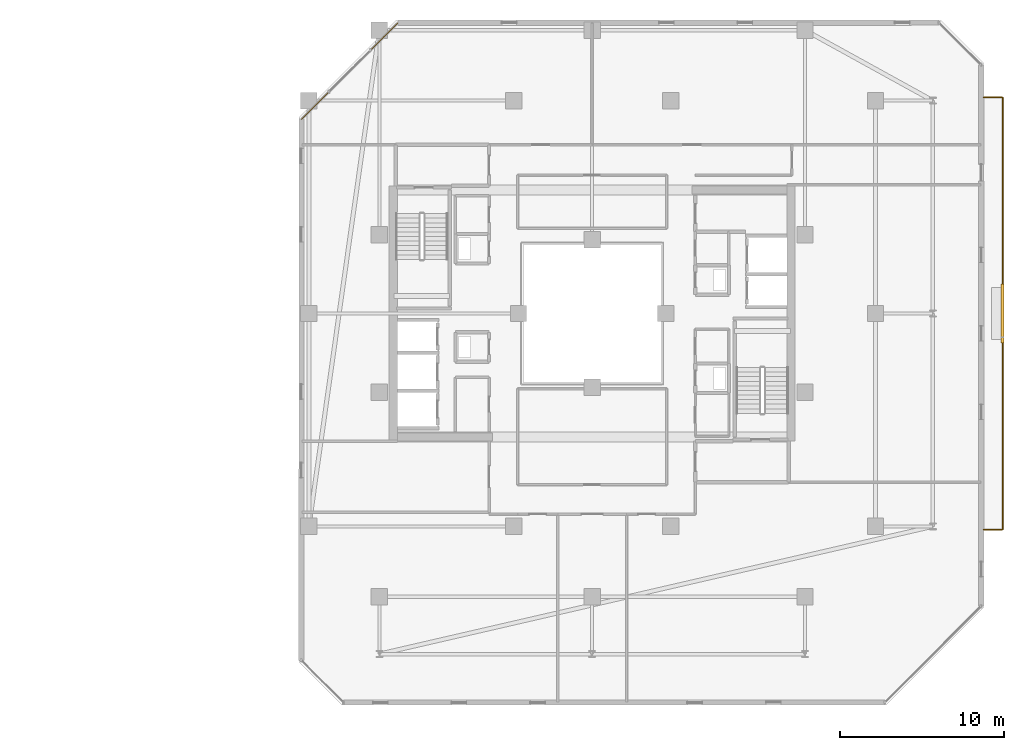
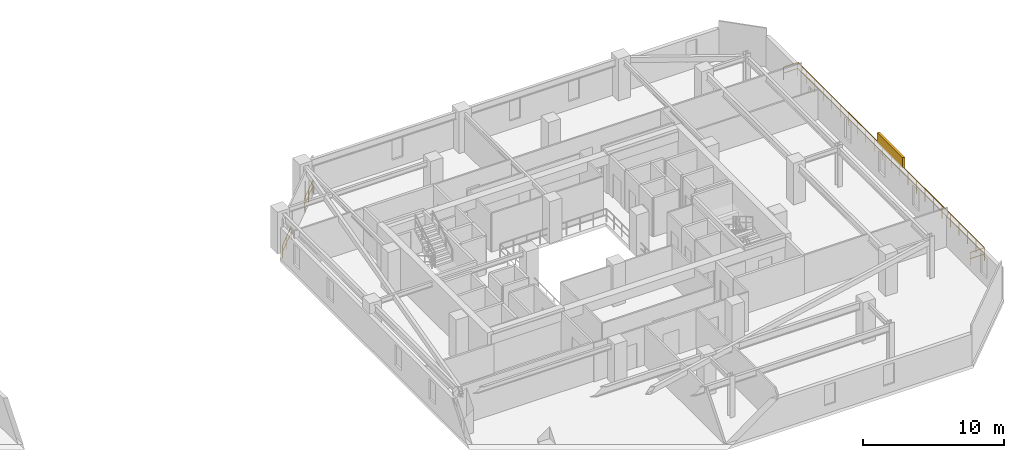
# One storey, part 31 of 31: 3 railings, 1 shading device.
"""IFC4 building model written with IfcOpenShell, lengths in metres."""

from ifc_helpers import new_model, si_unit, direction, frame, origin, origin_2d, place, context, subcontext, project, spatial, rectangle, extrude, material, type_object, element, save


model = new_model("IFC4")

# Units and contexts
model_context = context("Model", 3, precision=1e-05, world=origin(), true_north=direction((0.0, 1.0)))
body_context = subcontext(model_context, "Body", "Model", "MODEL_VIEW")
ifc_project = project(units=[si_unit("LENGTHUNIT", "METRE"), si_unit("AREAUNIT", "SQUARE_METRE"), si_unit("VOLUMEUNIT", "CUBIC_METRE"), si_unit("PLANEANGLEUNIT", "RADIAN"), si_unit("MASSUNIT", "GRAM", prefix="KILO")], contexts=[model_context])

# Site, building, storey
site_placement = place(None, origin())
site = spatial("IfcSite", under=ifc_project, at=site_placement, CompositionType="ELEMENT")
building_placement = place(site_placement, origin())
building = spatial("IfcBuilding", under=site, at=building_placement, Name="Thornwick Lancets Civic Towers", CompositionType="ELEMENT")
storey_placement = place(building_placement, frame((0.0, 0.0, 233.10009765625)))
storey = spatial("IfcBuildingStorey", under=building, at=storey_placement, Name="L62", CompositionType="ELEMENT", Elevation=233.10009765625)

# Railings
ifc_material_1 = material(Name="Terracotta-capped laminated glass balustrade S355", Category="masonry")
railing_type = type_object("IfcRailingType", Name="RAIL_TERR_GUARD", PredefinedType="GUARDRAIL", material=ifc_material_1)
for number, where, name in (
    (1, (76.627685546875, 44.753662109375, 0.0), "L62 Tower B Chamfer Spandrel Guard E5-1"),
    (2, (72.4208984375, 40.546875, 0.0), "L62 Tower B Chamfer Spandrel Guard E5-2"),
):
    element("IfcRailing", number, at=place(storey_placement, frame(where)), inside=storey, type_object=railing_type, Name=name, PredefinedType="GUARDRAIL", context=body_context, shape_type="SweptSolid", body=[
        extrude(rectangle(XDim=0.048095703125, YDim=0.048095703125, at=origin_2d()), frame((0.0, 0.0, 1.1259765625), z_axis=(-0.707106781187, -0.707106781187, 0.0), x_axis=(0.707106781187, -0.707106781187, 0.0)), (0.0, 0.0, 1.0), 2.3681640625),
        extrude(rectangle(XDim=0.0419921875, YDim=0.0419921875, at=origin_2d()), frame((-0.026611328125, -0.026611328125, 0.597900390625), z_axis=(-0.707106781187, -0.707106781187, 0.0), x_axis=(0.707106781187, -0.707106781187, 0.0)), (0.0, 0.0, 1.0), 1.109130859375),
        extrude(rectangle(XDim=0.0419921875, YDim=0.0419921875, at=origin_2d()), frame((-0.86376953125, -0.86376953125, 0.597900390625), z_axis=(-0.707106781187, -0.707106781187, 0.0), x_axis=(0.707106781187, -0.707106781187, 0.0)), (0.0, 0.0, 1.0), 1.109130859375),
        extrude(rectangle(XDim=0.0419921875, YDim=0.0419921875, at=origin_2d()), origin(), (0.0, 0.0, 1.0), 1.095703125),
        extrude(rectangle(XDim=0.0419921875, YDim=0.0419921875, at=origin_2d()), frame((-0.83740234375, -0.83740234375, 0.0)), (0.0, 0.0, 1.0), 1.095703125),
        extrude(rectangle(XDim=0.0419921875, YDim=0.0419921875, at=origin_2d()), frame((-1.674560546875, -1.674560546875, 0.0)), (0.0, 0.0, 1.0), 1.095703125),
    ])
railing_placement = place(storey_placement, frame((112.39990234375, 13.800048828125, 0.0)))
element("IfcRailing", 3, at=railing_placement, inside=storey, type_object=railing_type, Name="L62 Tower B Balcony Guard E", PredefinedType="GUARDRAIL", context=body_context, shape_type="SweptSolid", body=[
    extrude(rectangle(XDim=0.048095703125, YDim=0.048095703125, at=origin_2d()), frame((0.0, 0.0, 1.1259765625), z_axis=(1.0, 0.0, 0.0), x_axis=(0.0, 1.0, 0.0)), (0.0, 0.0, 1.0), 1.138916015625),
    extrude(rectangle(XDim=0.0419921875, YDim=0.0419921875, at=origin_2d()), frame((0.03759765625, 0.0, 0.597900390625), z_axis=(1.0, 0.0, 0.0), x_axis=(0.0, 1.0, 0.0)), (0.0, 0.0, 1.0), 1.09521484375),
    extrude(rectangle(XDim=0.048095703125, YDim=0.048095703125, at=origin_2d()), frame((1.170166015625, 0.03125, 1.1259765625), z_axis=(0.0, 1.0, 0.0), x_axis=(-1.0, 0.0, 0.0)), (0.0, 0.0, 1.0), 26.33740234375),
    extrude(rectangle(XDim=0.0419921875, YDim=0.0419921875, at=origin_2d()), frame((1.170166015625, 0.03759765625, 0.597900390625), z_axis=(0.0, 1.0, 0.0), x_axis=(-1.0, 0.0, 0.0)), (0.0, 0.0, 1.0), 1.125),
    extrude(rectangle(XDim=0.0419921875, YDim=0.0419921875, at=origin_2d()), frame((1.170166015625, 1.237548828125, 0.597900390625), z_axis=(0.0, 1.0, 0.0), x_axis=(-1.0, 0.0, 0.0)), (0.0, 0.0, 1.0), 1.125),
    extrude(rectangle(XDim=0.0419921875, YDim=0.0419921875, at=origin_2d()), frame((1.170166015625, 2.4375, 0.597900390625), z_axis=(0.0, 1.0, 0.0), x_axis=(-1.0, 0.0, 0.0)), (0.0, 0.0, 1.0), 1.125),
    extrude(rectangle(XDim=0.0419921875, YDim=0.0419921875, at=origin_2d()), frame((1.170166015625, 3.637451171875, 0.597900390625), z_axis=(0.0, 1.0, 0.0), x_axis=(-1.0, 0.0, 0.0)), (0.0, 0.0, 1.0), 1.125),
    extrude(rectangle(XDim=0.0419921875, YDim=0.0419921875, at=origin_2d()), frame((1.170166015625, 4.83740234375, 0.597900390625), z_axis=(0.0, 1.0, 0.0), x_axis=(-1.0, 0.0, 0.0)), (0.0, 0.0, 1.0), 1.125),
    extrude(rectangle(XDim=0.0419921875, YDim=0.0419921875, at=origin_2d()), frame((1.170166015625, 6.037353515625, 0.597900390625), z_axis=(0.0, 1.0, 0.0), x_axis=(-1.0, 0.0, 0.0)), (0.0, 0.0, 1.0), 1.125),
    extrude(rectangle(XDim=0.0419921875, YDim=0.0419921875, at=origin_2d()), frame((1.170166015625, 7.237548828125, 0.597900390625), z_axis=(0.0, 1.0, 0.0), x_axis=(-1.0, 0.0, 0.0)), (0.0, 0.0, 1.0), 1.125),
    extrude(rectangle(XDim=0.0419921875, YDim=0.0419921875, at=origin_2d()), frame((1.170166015625, 8.4375, 0.597900390625), z_axis=(0.0, 1.0, 0.0), x_axis=(-1.0, 0.0, 0.0)), (0.0, 0.0, 1.0), 1.125),
    extrude(rectangle(XDim=0.0419921875, YDim=0.0419921875, at=origin_2d()), frame((1.170166015625, 9.637451171875, 0.597900390625), z_axis=(0.0, 1.0, 0.0), x_axis=(-1.0, 0.0, 0.0)), (0.0, 0.0, 1.0), 1.125),
    extrude(rectangle(XDim=0.0419921875, YDim=0.0419921875, at=origin_2d()), frame((1.170166015625, 10.83740234375, 0.597900390625), z_axis=(0.0, 1.0, 0.0), x_axis=(-1.0, 0.0, 0.0)), (0.0, 0.0, 1.0), 1.125),
    extrude(rectangle(XDim=0.0419921875, YDim=0.0419921875, at=origin_2d()), frame((1.170166015625, 12.037353515625, 0.597900390625), z_axis=(0.0, 1.0, 0.0), x_axis=(-1.0, 0.0, 0.0)), (0.0, 0.0, 1.0), 1.125),
    extrude(rectangle(XDim=0.0419921875, YDim=0.0419921875, at=origin_2d()), frame((1.170166015625, 13.237548828125, 0.597900390625), z_axis=(0.0, 1.0, 0.0), x_axis=(-1.0, 0.0, 0.0)), (0.0, 0.0, 1.0), 1.125),
    extrude(rectangle(XDim=0.0419921875, YDim=0.0419921875, at=origin_2d()), frame((1.170166015625, 14.4375, 0.597900390625), z_axis=(0.0, 1.0, 0.0), x_axis=(-1.0, 0.0, 0.0)), (0.0, 0.0, 1.0), 1.125),
    extrude(rectangle(XDim=0.0419921875, YDim=0.0419921875, at=origin_2d()), frame((1.170166015625, 15.637451171875, 0.597900390625), z_axis=(0.0, 1.0, 0.0), x_axis=(-1.0, 0.0, 0.0)), (0.0, 0.0, 1.0), 1.125),
    extrude(rectangle(XDim=0.0419921875, YDim=0.0419921875, at=origin_2d()), frame((1.170166015625, 16.83740234375, 0.597900390625), z_axis=(0.0, 1.0, 0.0), x_axis=(-1.0, 0.0, 0.0)), (0.0, 0.0, 1.0), 1.125),
    extrude(rectangle(XDim=0.0419921875, YDim=0.0419921875, at=origin_2d()), frame((1.170166015625, 18.037353515625, 0.597900390625), z_axis=(0.0, 1.0, 0.0), x_axis=(-1.0, 0.0, 0.0)), (0.0, 0.0, 1.0), 1.125),
    extrude(rectangle(XDim=0.0419921875, YDim=0.0419921875, at=origin_2d()), frame((1.170166015625, 19.2373046875, 0.597900390625), z_axis=(0.0, 1.0, 0.0), x_axis=(-1.0, 0.0, 0.0)), (0.0, 0.0, 1.0), 1.125),
    extrude(rectangle(XDim=0.0419921875, YDim=0.0419921875, at=origin_2d()), frame((1.170166015625, 20.4375, 0.597900390625), z_axis=(0.0, 1.0, 0.0), x_axis=(-1.0, 0.0, 0.0)), (0.0, 0.0, 1.0), 1.125),
    extrude(rectangle(XDim=0.0419921875, YDim=0.0419921875, at=origin_2d()), frame((1.170166015625, 21.637451171875, 0.597900390625), z_axis=(0.0, 1.0, 0.0), x_axis=(-1.0, 0.0, 0.0)), (0.0, 0.0, 1.0), 1.125),
    extrude(rectangle(XDim=0.0419921875, YDim=0.0419921875, at=origin_2d()), frame((1.170166015625, 22.83740234375, 0.597900390625), z_axis=(0.0, 1.0, 0.0), x_axis=(-1.0, 0.0, 0.0)), (0.0, 0.0, 1.0), 1.125),
    extrude(rectangle(XDim=0.0419921875, YDim=0.0419921875, at=origin_2d()), frame((1.170166015625, 24.037353515625, 0.597900390625), z_axis=(0.0, 1.0, 0.0), x_axis=(-1.0, 0.0, 0.0)), (0.0, 0.0, 1.0), 1.125),
    extrude(rectangle(XDim=0.0419921875, YDim=0.0419921875, at=origin_2d()), frame((1.170166015625, 25.2373046875, 0.597900390625), z_axis=(0.0, 1.0, 0.0), x_axis=(-1.0, 0.0, 0.0)), (0.0, 0.0, 1.0), 1.125),
    extrude(rectangle(XDim=0.048095703125, YDim=0.048095703125, at=origin_2d()), frame((1.138916015625, 26.39990234375, 1.1259765625), z_axis=(-1.0, 0.0, 0.0), x_axis=(0.0, -1.0, 0.0)), (0.0, 0.0, 1.0), 1.138916015625),
    extrude(rectangle(XDim=0.0419921875, YDim=0.0419921875, at=origin_2d()), frame((1.132568359375, 26.39990234375, 0.597900390625), z_axis=(-1.0, 0.0, 0.0), x_axis=(0.0, -1.0, 0.0)), (0.0, 0.0, 1.0), 1.09521484375),
    extrude(rectangle(XDim=0.0419921875, YDim=0.0419921875, at=origin_2d()), origin(), (0.0, 0.0, 1.0), 1.095703125),
    extrude(rectangle(XDim=0.0419921875, YDim=0.0419921875, at=origin_2d()), frame((1.170166015625, 0.0, 0.0)), (0.0, 0.0, 1.0), 1.095703125),
    extrude(rectangle(XDim=0.0419921875, YDim=0.0419921875, at=origin_2d()), frame((1.170166015625, 1.199951171875, 0.0)), (0.0, 0.0, 1.0), 1.095703125),
    extrude(rectangle(XDim=0.0419921875, YDim=0.0419921875, at=origin_2d()), frame((1.170166015625, 2.39990234375, 0.0)), (0.0, 0.0, 1.0), 1.095703125),
    extrude(rectangle(XDim=0.0419921875, YDim=0.0419921875, at=origin_2d()), frame((1.170166015625, 3.60009765625, 0.0)), (0.0, 0.0, 1.0), 1.095703125),
    extrude(rectangle(XDim=0.0419921875, YDim=0.0419921875, at=origin_2d()), frame((1.170166015625, 4.800048828125, 0.0)), (0.0, 0.0, 1.0), 1.095703125),
    extrude(rectangle(XDim=0.0419921875, YDim=0.0419921875, at=origin_2d()), frame((1.170166015625, 6.0, 0.0)), (0.0, 0.0, 1.0), 1.095703125),
    extrude(rectangle(XDim=0.0419921875, YDim=0.0419921875, at=origin_2d()), frame((1.170166015625, 7.199951171875, 0.0)), (0.0, 0.0, 1.0), 1.095703125),
    extrude(rectangle(XDim=0.0419921875, YDim=0.0419921875, at=origin_2d()), frame((1.170166015625, 8.39990234375, 0.0)), (0.0, 0.0, 1.0), 1.095703125),
    extrude(rectangle(XDim=0.0419921875, YDim=0.0419921875, at=origin_2d()), frame((1.170166015625, 9.599853515625, 0.0)), (0.0, 0.0, 1.0), 1.095703125),
    extrude(rectangle(XDim=0.0419921875, YDim=0.0419921875, at=origin_2d()), frame((1.170166015625, 10.800048828125, 0.0)), (0.0, 0.0, 1.0), 1.095703125),
    extrude(rectangle(XDim=0.0419921875, YDim=0.0419921875, at=origin_2d()), frame((1.170166015625, 12.0, 0.0)), (0.0, 0.0, 1.0), 1.095703125),
    extrude(rectangle(XDim=0.0419921875, YDim=0.0419921875, at=origin_2d()), frame((1.170166015625, 13.199951171875, 0.0)), (0.0, 0.0, 1.0), 1.095703125),
    extrude(rectangle(XDim=0.0419921875, YDim=0.0419921875, at=origin_2d()), frame((1.170166015625, 14.39990234375, 0.0)), (0.0, 0.0, 1.0), 1.095703125),
    extrude(rectangle(XDim=0.0419921875, YDim=0.0419921875, at=origin_2d()), frame((1.170166015625, 15.599853515625, 0.0)), (0.0, 0.0, 1.0), 1.095703125),
    extrude(rectangle(XDim=0.0419921875, YDim=0.0419921875, at=origin_2d()), frame((1.170166015625, 16.800048828125, 0.0)), (0.0, 0.0, 1.0), 1.095703125),
    extrude(rectangle(XDim=0.0419921875, YDim=0.0419921875, at=origin_2d()), frame((1.170166015625, 18.0, 0.0)), (0.0, 0.0, 1.0), 1.095703125),
    extrude(rectangle(XDim=0.0419921875, YDim=0.0419921875, at=origin_2d()), frame((1.170166015625, 19.199951171875, 0.0)), (0.0, 0.0, 1.0), 1.095703125),
    extrude(rectangle(XDim=0.0419921875, YDim=0.0419921875, at=origin_2d()), frame((1.170166015625, 20.39990234375, 0.0)), (0.0, 0.0, 1.0), 1.095703125),
    extrude(rectangle(XDim=0.0419921875, YDim=0.0419921875, at=origin_2d()), frame((1.170166015625, 21.599853515625, 0.0)), (0.0, 0.0, 1.0), 1.095703125),
    extrude(rectangle(XDim=0.0419921875, YDim=0.0419921875, at=origin_2d()), frame((1.170166015625, 22.7998046875, 0.0)), (0.0, 0.0, 1.0), 1.095703125),
    extrude(rectangle(XDim=0.0419921875, YDim=0.0419921875, at=origin_2d()), frame((1.170166015625, 24.0, 0.0)), (0.0, 0.0, 1.0), 1.095703125),
    extrude(rectangle(XDim=0.0419921875, YDim=0.0419921875, at=origin_2d()), frame((1.170166015625, 25.199951171875, 0.0)), (0.0, 0.0, 1.0), 1.095703125),
    extrude(rectangle(XDim=0.0419921875, YDim=0.0419921875, at=origin_2d()), frame((1.170166015625, 26.39990234375, 0.0)), (0.0, 0.0, 1.0), 1.095703125),
    extrude(rectangle(XDim=0.0419921875, YDim=0.0419921875, at=origin_2d()), frame((0.0, 26.39990234375, 0.0)), (0.0, 0.0, 1.0), 1.095703125),
])

# Shading device
ifc_material_2 = material(Name="Extruded terracotta baguette solar screen", Category="masonry")
shading_device_type = type_object("IfcShadingDeviceType", Name="SHADE_BAGUETTE", PredefinedType="JALOUSIE", material=ifc_material_2)
shading_device_placement = place(storey_placement, frame((113.56005859375, 27.0, 1.119873046875), z_axis=(0.0, 0.0, 1.0), x_axis=(0.0, 1.0, 0.0)))
element("IfcShadingDevice", 4, at=shading_device_placement, inside=storey, type_object=shading_device_type, Name="L62 Tower B Terracotta Baguette Screen E", PredefinedType="JALOUSIE", context=body_context, shape_type="SweptSolid", body=[
    extrude(rectangle(XDim=3.60009765625, YDim=0.179931640625, at=origin_2d()), origin(), (0.0, 0.0, 1.0), 0.89990234375),
])

save(model, "model.ifc")
